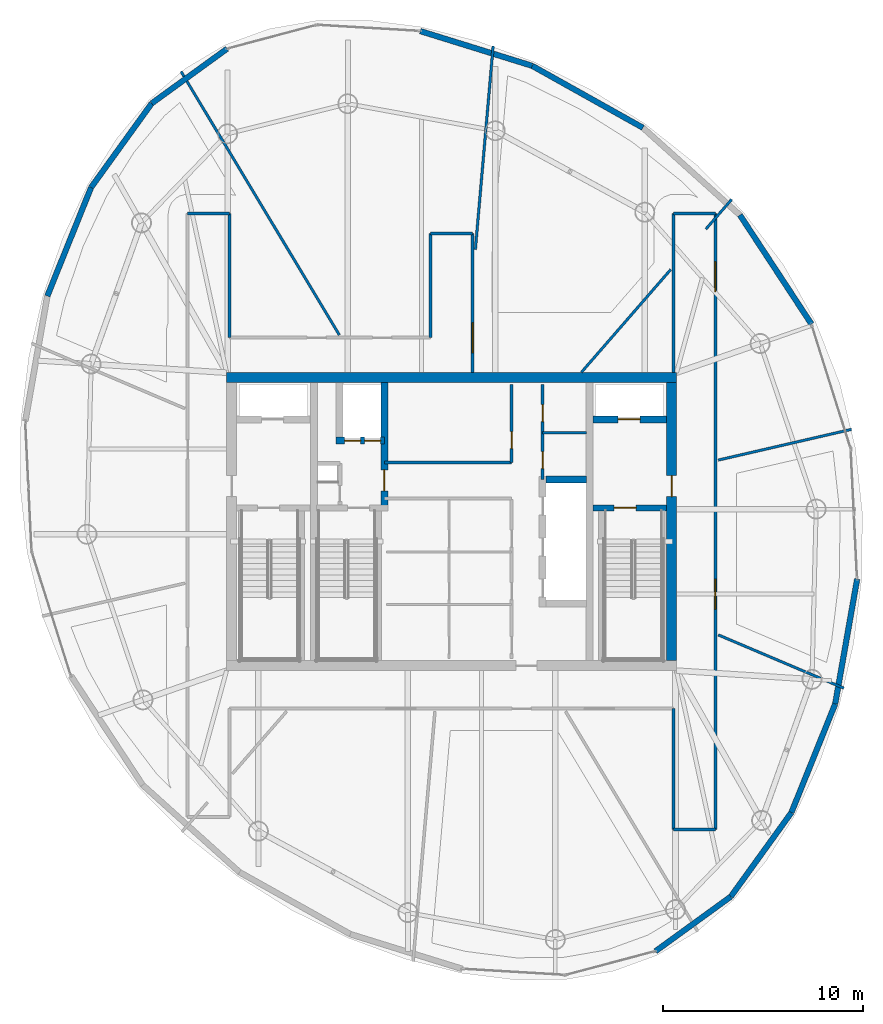
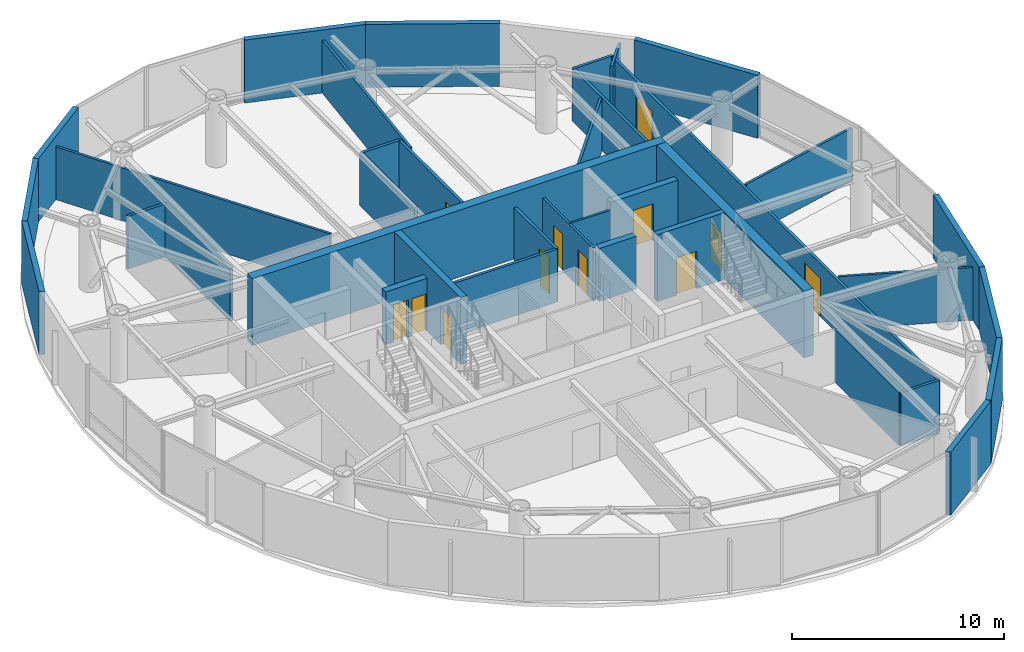
# One storey, part 15 of 19: 37 walls, 12 doors, 12 openings.
"""IFC4 building model written with IfcOpenShell, lengths in metres."""

from ifc_helpers import new_model, si_unit, direction, frame, frame_2d, origin, place, context, subcontext, project, spatial, rectangle, extrude, material, layer, layer_set, type_object, element, fill, save


model = new_model("IFC4")

# Units and contexts
model_context = context("Model", 3, precision=1e-05, world=origin(), true_north=direction((0.0, 1.0)))
body_context = subcontext(model_context, "Body", "Model", "MODEL_VIEW")
ifc_project = project(units=[si_unit("LENGTHUNIT", "METRE"), si_unit("AREAUNIT", "SQUARE_METRE"), si_unit("VOLUMEUNIT", "CUBIC_METRE"), si_unit("PLANEANGLEUNIT", "RADIAN"), si_unit("MASSUNIT", "GRAM", prefix="KILO")], contexts=[model_context])

# Site, building, storey
site_placement = place(None, origin())
site = spatial("IfcSite", under=ifc_project, at=site_placement, CompositionType="ELEMENT")
building_placement = place(site_placement, origin())
building = spatial("IfcBuilding", under=site, at=building_placement, Name="Bramvorn Convention Spire", CompositionType="ELEMENT")
storey_placement = place(building_placement, frame((0.0, 0.0, 292.10009765625)))
storey = spatial("IfcBuildingStorey", under=building, at=storey_placement, Name="L74", CompositionType="ELEMENT", Elevation=292.10009765625)

# Wall
ifc_material_1 = material(Name="Concrete C50/60", Category="concrete")
ifc_layer_1 = layer(ifc_material_1, 0.5)
ifc_layer_set_1 = layer_set([ifc_layer_1], Name="Concrete C50/60 - WL-CORE-500")
wall_type_1 = type_object("IfcWallType", Name="WL-CORE-500", PredefinedType="SHEAR", material=ifc_layer_set_1)
wall_1_placement = place(storey_placement, frame((26.75, 33.199951171875, 0.0), z_axis=(0.0, 0.0, 1.0), x_axis=(1.0, 0.0, 0.0)))
element("IfcWall", 1, at=wall_1_placement, inside=storey, type_object=wall_type_1, Name="L74 North RC core shear wall", PredefinedType="SHEAR", context=body_context, shape_type="SweptSolid", body=[
    extrude(rectangle(XDim=22.5, YDim=0.5, at=frame_2d((11.25, 0.0))), origin(), (0.0, 0.0, 1.0), 3.849853515625),
])

# Wall, opening, door
wall_2_placement = place(storey_placement, frame((49.0, 19.050048828125, 0.0), z_axis=(0.0, 0.0, 1.0), x_axis=(0.0, 1.0, 0.0)))
wall_2 = element("IfcWall", 2, at=wall_2_placement, inside=storey, type_object=wall_type_1, Name="L74 East RC core shear wall", PredefinedType="SHEAR", context=body_context, shape_type="SweptSolid", body=[
    extrude(rectangle(XDim=13.89990234375, YDim=0.5, at=frame_2d((6.949951171875, 0.0))), origin(), (0.0, 0.0, 1.0), 3.849853515625),
])
opening_1_placement = place(wall_2_placement, frame((8.199951171875, 0.0, 0.0)))
opening_1 = element("IfcOpeningElement", 3, at=opening_1_placement, cuts=wall_2, Name="Opening DL-105", PredefinedType="OPENING", context=body_context, shape_type="SweptSolid", body=[
    extrude(rectangle(XDim=1.050048828125, YDim=2.14990234375, at=frame_2d((0.52490234375, 1.074951171875))), frame((0.0, 0.260009765625, 0.0), z_axis=(0.0, -1.0, 0.0), x_axis=(1.0, 0.0, 0.0)), (0.0, 0.0, 1.0), 0.52001953125),
])
ifc_material_2 = material(Name="Smoke-Sealed Fire Lobby Timber-Core Door", Category="wood")
door_type_1 = type_object("IfcDoorType", Name="DR-LOBBY-1050", OperationType="NOTDEFINED", PredefinedType="DOOR", material=ifc_material_2)
door_1_placement = place(opening_1_placement, origin())
door_1 = element("IfcDoor", 4, at=door_1_placement, inside=storey, type_object=door_type_1, Name="L74 East Firefighting Lobby corridor door", OperationType="SINGLE_SWING_LEFT", OverallHeight=2.14990234375, OverallWidth=1.050048828125, PredefinedType="DOOR", context=body_context, shape_type="SweptSolid", body=[
    extrude(rectangle(XDim=1.050048828125, YDim=2.14990234375, at=frame_2d((0.52490234375, 1.074951171875))), frame((0.0, 0.02490234375, 0.0), z_axis=(0.0, -1.0, 0.0), x_axis=(1.0, 0.0, 0.0)), (0.0, 0.0, 1.0), 0.050048828125),
])
fill(opening_1, door_1)

ifc_layer_2 = layer(ifc_material_1, 0.35009765625)
ifc_layer_set_2 = layer_set([ifc_layer_2], Name="Concrete C50/60 - WL-CORE-INT-350")
wall_type_2 = type_object("IfcWallType", Name="WL-CORE-INT-350", PredefinedType="SHEAR", material=ifc_layer_set_2)
wall_3_placement = place(storey_placement, frame((45.080078125, 31.1201171875, 0.0), z_axis=(0.0, 0.0, 1.0), x_axis=(1.0, 0.0, 0.0)))
wall_3 = element("IfcWall", 5, at=wall_3_placement, inside=storey, type_object=wall_type_2, Name="L74 FE2 shaft front wall", PredefinedType="SHEAR", context=body_context, shape_type="SweptSolid", body=[
    extrude(rectangle(XDim=3.669921875, YDim=0.35009765625, at=frame_2d((1.8349609375, 0.0))), origin(), (0.0, 0.0, 1.0), 3.039794921875),
])
opening_2_placement = place(wall_3_placement, frame((1.25, 0.0, 0.0)))
opening_2 = element("IfcOpeningElement", 6, at=opening_2_placement, cuts=wall_3, Name="Opening LD-110", PredefinedType="OPENING", context=body_context, shape_type="SweptSolid", body=[
    extrude(rectangle(XDim=1.10009765625, YDim=2.14990234375, at=frame_2d((0.550048828125, 1.074951171875))), frame((0.0, 0.18505859375, 0.0), z_axis=(0.0, -1.0, 0.0), x_axis=(1.0, 0.0, 0.0)), (0.0, 0.0, 1.0), 0.3701171875),
])
ifc_material_3 = material(Name="Firefighting & Service Lift Sliding Landing Door", Category="steel")
door_type_2 = type_object("IfcDoorType", Name="DR-LIFT-LD-1100", OperationType="NOTDEFINED", PredefinedType="DOOR", material=ifc_material_3)
door_2_placement = place(opening_2_placement, origin())
door_2 = element("IfcDoor", 7, at=door_2_placement, inside=storey, type_object=door_type_2, Name="L74 Lift FE2 Sliding Landing Door", OperationType="SLIDING_TO_LEFT", OverallHeight=2.14990234375, OverallWidth=1.10009765625, PredefinedType="DOOR", context=body_context, shape_type="SweptSolid", body=[
    extrude(rectangle(XDim=1.10009765625, YDim=2.14990234375, at=frame_2d((0.550048828125, 1.074951171875))), frame((0.0, 0.02490234375, 0.0), z_axis=(0.0, -1.0, 0.0), x_axis=(1.0, 0.0, 0.0)), (0.0, 0.0, 1.0), 0.050048828125),
])
fill(opening_2, door_2)

wall_4_placement = place(storey_placement, frame((34.639892578125, 26.68994140625, 0.0), z_axis=(0.0, 0.0, 1.0), x_axis=(0.0, 1.0, 0.0)))
wall_4 = element("IfcWall", 8, at=wall_4_placement, inside=storey, type_object=wall_type_2, Name="L74 SV east core shaft wall", PredefinedType="SHEAR", context=body_context, shape_type="SweptSolid", body=[
    extrude(rectangle(XDim=6.260009765625, YDim=0.35009765625, at=frame_2d((3.1298828125, 0.0))), origin(), (0.0, 0.0, 1.0), 3.849853515625),
])
opening_3_placement = place(wall_4_placement, frame((0.85009765625, 0.0, 0.0)))
opening_3 = element("IfcOpeningElement", 9, at=opening_3_placement, cuts=wall_4, Name="Opening DL-105", PredefinedType="OPENING", context=body_context, shape_type="SweptSolid", body=[
    extrude(rectangle(XDim=1.050048828125, YDim=2.14990234375, at=frame_2d((0.52490234375, 1.074951171875))), frame((0.0, 0.18505859375, 0.0), z_axis=(0.0, -1.0, 0.0), x_axis=(1.0, 0.0, 0.0)), (0.0, 0.0, 1.0), 0.3701171875),
])
door_3_placement = place(opening_3_placement, origin())
door_3 = element("IfcDoor", 10, at=door_3_placement, inside=storey, type_object=door_type_1, Name="L74 Core cross-passage door", OperationType="SINGLE_SWING_RIGHT", OverallHeight=2.14990234375, OverallWidth=1.050048828125, PredefinedType="DOOR", context=body_context, shape_type="SweptSolid", body=[
    extrude(rectangle(XDim=1.050048828125, YDim=2.14990234375, at=frame_2d((0.52490234375, 1.074951171875))), frame((0.0, 0.02490234375, 0.0), z_axis=(0.0, -1.0, 0.0), x_axis=(1.0, 0.0, 0.0)), (0.0, 0.0, 1.0), 0.050048828125),
])
fill(opening_3, door_3)

# Wall, openings, doors
wall_5_placement = place(storey_placement, frame((32.22998046875, 30.050048828125, 0.0), z_axis=(0.0, 0.0, 1.0), x_axis=(1.0, 0.0, 0.0)))
wall_5 = element("IfcWall", 11, at=wall_5_placement, inside=storey, type_object=wall_type_2, Name="L74 SV1/SV2 shaft front wall", PredefinedType="SHEAR", context=body_context, shape_type="SweptSolid", body=[
    extrude(rectangle(XDim=2.409912109375, YDim=0.35009765625, at=frame_2d((1.205078125, 0.0))), origin(), (0.0, 0.0, 1.0), 3.039794921875),
])
opening_4_placement = place(wall_5_placement, frame((0.419921875, 0.0, 0.0)))
opening_4 = element("IfcOpeningElement", 12, at=opening_4_placement, cuts=wall_5, Name="Opening LD-080", PredefinedType="OPENING", context=body_context, shape_type="SweptSolid", body=[
    extrude(rectangle(XDim=0.800048828125, YDim=2.14990234375, at=frame_2d((0.39990234375, 1.074951171875))), frame((0.0, 0.18505859375, 0.0), z_axis=(0.0, -1.0, 0.0), x_axis=(1.0, 0.0, 0.0)), (0.0, 0.0, 1.0), 0.3701171875),
])
opening_5_placement = place(wall_5_placement, frame((1.419921875, 0.0, 0.0)))
opening_5 = element("IfcOpeningElement", 13, at=opening_5_placement, cuts=wall_5, Name="Opening LD-080", PredefinedType="OPENING", context=body_context, shape_type="SweptSolid", body=[
    extrude(rectangle(XDim=0.800048828125, YDim=2.14990234375, at=frame_2d((0.39990234375, 1.074951171875))), frame((0.0, 0.18505859375, 0.0), z_axis=(0.0, -1.0, 0.0), x_axis=(1.0, 0.0, 0.0)), (0.0, 0.0, 1.0), 0.3701171875),
])
ifc_material_4 = material(Name="Service Lift Bi-Parting Landing Door", Category="steel")
door_type_3 = type_object("IfcDoorType", Name="DR-LIFT-LD-800", OperationType="NOTDEFINED", PredefinedType="DOOR", material=ifc_material_4)
door_4_placement = place(opening_4_placement, origin())
door_4 = element("IfcDoor", 14, at=door_4_placement, inside=storey, type_object=door_type_3, Name="L74 Lift SV1 Sliding Landing Door", OperationType="SLIDING_TO_LEFT", OverallHeight=2.14990234375, OverallWidth=0.800048828125, PredefinedType="DOOR", context=body_context, shape_type="SweptSolid", body=[
    extrude(rectangle(XDim=0.800048828125, YDim=2.14990234375, at=frame_2d((0.39990234375, 1.074951171875))), frame((0.0, 0.02490234375, 0.0), z_axis=(0.0, -1.0, 0.0), x_axis=(1.0, 0.0, 0.0)), (0.0, 0.0, 1.0), 0.050048828125),
])
fill(opening_4, door_4)
door_5_placement = place(opening_5_placement, origin())
door_5 = element("IfcDoor", 15, at=door_5_placement, inside=storey, type_object=door_type_3, Name="L74 Lift SV2 Sliding Landing Door", OperationType="SLIDING_TO_LEFT", OverallHeight=2.14990234375, OverallWidth=0.800048828125, PredefinedType="DOOR", context=body_context, shape_type="SweptSolid", body=[
    extrude(rectangle(XDim=0.800048828125, YDim=2.14990234375, at=frame_2d((0.39990234375, 1.074951171875))), frame((0.0, 0.02490234375, 0.0), z_axis=(0.0, -1.0, 0.0), x_axis=(1.0, 0.0, 0.0)), (0.0, 0.0, 1.0), 0.050048828125),
])
fill(opening_5, door_5)

# Walls
wall_6_placement = place(storey_placement, frame((42.719970703125, 28.10009765625, 0.0), z_axis=(0.0, 0.0, 1.0), x_axis=(1.0, 0.0, 0.0)))
element("IfcWall", 16, at=wall_6_placement, inside=storey, type_object=wall_type_2, Name="L74 High-rise lift bank north wall", PredefinedType="SHEAR", context=body_context, shape_type="SweptSolid", body=[
    extrude(rectangle(XDim=2.030029296875, YDim=0.35009765625, at=frame_2d((1.01513671875, 0.0))), origin(), (0.0, 0.0, 1.0), 3.039794921875),
])
ifc_material_5 = material(Name="Precast Concrete C40/50 with Bronze Terracotta Rainscreen", Category="masonry")
ifc_layer_3 = layer(ifc_material_5, 0.300048828125)
ifc_layer_set_3 = layer_set([ifc_layer_3], Name="Precast Concrete C40/50 with Bronze Terracotta Rainscreen - WL-EXT-BRONZE-300")
wall_type_3 = type_object("IfcWallType", Name="WL-EXT-BRONZE-300", PredefinedType="SOLIDWALL", material=ifc_layer_set_3)
wall_7_placement = place(storey_placement, frame((51.965087890625, 7.248779296875, 0.0), z_axis=(0.0, 0.0, 1.0), x_axis=(-0.809566158973, -0.587028648573, 0.0)))
element("IfcWall", 17, at=wall_7_placement, inside=storey, type_object=wall_type_3, Name="L74 expressed bronze Gothic lancet pier wall 01", PredefinedType="SOLIDWALL", context=body_context, shape_type="SweptSolid", body=[
    extrude(rectangle(XDim=4.650390625, YDim=0.280029296875, at=frame_2d((2.3251953125, 0.0))), origin(), (0.0, 0.0, 1.0), 3.625),
])
wall_8_placement = place(storey_placement, frame((54.994384765625, 11.44970703125, 0.0), z_axis=(0.0, 0.0, 1.0), x_axis=(-0.584893181171, -0.811110329498, 0.0)))
element("IfcWall", 18, at=wall_8_placement, inside=storey, type_object=wall_type_3, Name="L74 expressed bronze Gothic lancet pier wall 02", PredefinedType="SOLIDWALL", context=body_context, shape_type="SweptSolid", body=[
    extrude(rectangle(XDim=5.17919921875, YDim=0.280029296875, at=frame_2d((2.589599609375, 0.0))), origin(), (0.0, 0.0, 1.0), 3.625),
])
wall_9_placement = place(storey_placement, frame((57.185302734375, 16.884521484375, 0.0), z_axis=(0.0, 0.0, 1.0), x_axis=(-0.373889146258, -0.927473399247, 0.0)))
element("IfcWall", 19, at=wall_9_placement, inside=storey, type_object=wall_type_3, Name="L74 expressed bronze Gothic lancet pier wall 03", PredefinedType="SOLIDWALL", context=body_context, shape_type="SweptSolid", body=[
    extrude(rectangle(XDim=5.85986328125, YDim=0.280029296875, at=frame_2d((2.929931640625, 0.0))), origin(), (0.0, 0.0, 1.0), 3.625),
])
wall_10_placement = place(storey_placement, frame((58.284912109375, 23.1337890625, 0.0), z_axis=(0.0, 0.0, 1.0), x_axis=(-0.17329584109, -0.984869814473, 0.0)))
element("IfcWall", 20, at=wall_10_placement, inside=storey, type_object=wall_type_3, Name="L74 expressed bronze Gothic lancet pier wall 04", PredefinedType="SOLIDWALL", context=body_context, shape_type="SweptSolid", body=[
    extrude(rectangle(XDim=6.34521484375, YDim=0.280029296875, at=frame_2d((3.172607421875, 0.0))), origin(), (0.0, 0.0, 1.0), 3.625),
])
wall_11_placement = place(storey_placement, frame((52.420654296875, 41.3330078125, 0.0), z_axis=(0.0, 0.0, 1.0), x_axis=(0.548729972559, -0.835999651445, 0.0)))
element("IfcWall", 21, at=wall_11_placement, inside=storey, type_object=wall_type_3, Name="L74 expressed bronze Gothic lancet pier wall 07", PredefinedType="SOLIDWALL", context=body_context, shape_type="SweptSolid", body=[
    extrude(rectangle(XDim=6.52685546875, YDim=0.280029296875, at=frame_2d((3.263427734375, 0.0))), origin(), (0.0, 0.0, 1.0), 3.625),
])
wall_12_placement = place(storey_placement, frame((42.0322265625, 48.796875, 0.0), z_axis=(0.0, 0.0, 1.0), x_axis=(0.872743421577, -0.48817918851, 0.0)))
element("IfcWall", 22, at=wall_12_placement, inside=storey, type_object=wall_type_3, Name="L74 expressed bronze Gothic lancet pier wall 09", PredefinedType="SOLIDWALL", context=body_context, shape_type="SweptSolid", body=[
    extrude(rectangle(XDim=6.34521484375, YDim=0.280029296875, at=frame_2d((3.172607421875, 0.0))), origin(), (0.0, 0.0, 1.0), 3.625),
])
wall_13_placement = place(storey_placement, frame((36.435791015625, 50.533935546875, 0.0), z_axis=(0.0, 0.0, 1.0), x_axis=(0.955052748682, -0.296435907467, 0.0)))
element("IfcWall", 23, at=wall_13_placement, inside=storey, type_object=wall_type_3, Name="L74 expressed bronze Gothic lancet pier wall 10", PredefinedType="SOLIDWALL", context=body_context, shape_type="SweptSolid", body=[
    extrude(rectangle(XDim=5.85986328125, YDim=0.280029296875, at=frame_2d((2.929931640625, 0.0))), origin(), (0.0, 0.0, 1.0), 3.625),
])
wall_14_placement = place(storey_placement, frame((23.005615234375, 46.919189453125, 0.0), z_axis=(0.0, 0.0, 1.0), x_axis=(0.809541210108, 0.587063053799, 0.0)))
element("IfcWall", 24, at=wall_14_placement, inside=storey, type_object=wall_type_3, Name="L74 expressed bronze Gothic lancet pier wall 13", PredefinedType="SOLIDWALL", context=body_context, shape_type="SweptSolid", body=[
    extrude(rectangle(XDim=4.650634765625, YDim=0.280029296875, at=frame_2d((2.3251953125, 0.0))), origin(), (0.0, 0.0, 1.0), 3.625),
])
wall_15_placement = place(storey_placement, frame((19.976318359375, 42.718505859375, 0.0), z_axis=(0.0, 0.0, 1.0), x_axis=(0.584915544866, 0.811094202528, 0.0)))
element("IfcWall", 25, at=wall_15_placement, inside=storey, type_object=wall_type_3, Name="L74 expressed bronze Gothic lancet pier wall 14", PredefinedType="SOLIDWALL", context=body_context, shape_type="SweptSolid", body=[
    extrude(rectangle(XDim=5.178955078125, YDim=0.280029296875, at=frame_2d((2.58935546875, 0.0))), origin(), (0.0, 0.0, 1.0), 3.625),
])
wall_16_placement = place(storey_placement, frame((17.78515625, 37.283447265625, 0.0), z_axis=(0.0, 0.0, 1.0), x_axis=(0.373910536535, 0.927464775972, 0.0)))
element("IfcWall", 26, at=wall_16_placement, inside=storey, type_object=wall_type_3, Name="L74 expressed bronze Gothic lancet pier wall 15", PredefinedType="SOLIDWALL", context=body_context, shape_type="SweptSolid", body=[
    extrude(rectangle(XDim=5.860107421875, YDim=0.280029296875, at=frame_2d((2.93017578125, 0.0))), origin(), (0.0, 0.0, 1.0), 3.625),
])
ifc_material_6 = material(Name="Lightweight En-Suite & Wet-Wall Partition", Category="gypsum")
ifc_layer_4 = layer(ifc_material_6, 0.110107421875)
ifc_layer_set_4 = layer_set([ifc_layer_4], Name="Lightweight En-Suite & Wet-Wall Partition - WL-PART-110")
wall_type_4 = type_object("IfcWallType", Name="WL-PART-110", PredefinedType="PARTITIONING", material=ifc_layer_set_4)
wall_17_placement = place(storey_placement, frame((42.550048828125, 30.449951171875, 0.0), z_axis=(0.0, 0.0, 1.0), x_axis=(1.0, 0.0, 0.0)))
element("IfcWall", 27, at=wall_17_placement, inside=storey, type_object=wall_type_4, Name="L74 KB NE divider", PredefinedType="PARTITIONING", context=body_context, shape_type="SweptSolid", body=[
    extrude(rectangle(XDim=2.199951171875, YDim=0.110107421875, at=frame_2d((1.10009765625, 0.0))), origin(), (0.0, 0.0, 1.0), 3.039794921875),
])

# Wall, openings, doors
ifc_material_7 = material(Name="Metal-Stud Demountable Office Partition", Category="gypsum")
ifc_layer_5 = layer(ifc_material_7, 0.1298828125)
ifc_layer_set_5 = layer_set([ifc_layer_5], Name="Metal-Stud Demountable Office Partition - WL-PART-130")
wall_type_5 = type_object("IfcWallType", Name="WL-PART-130", PredefinedType="PARTITIONING", material=ifc_layer_set_5)
wall_18_placement = place(storey_placement, frame((42.550048828125, 28.10009765625, 0.0), z_axis=(0.0, 0.0, 1.0), x_axis=(0.0, 1.0, 0.0)))
wall_18 = element("IfcWall", 28, at=wall_18_placement, inside=storey, type_object=wall_type_5, Name="L74 KB NE split wall", PredefinedType="PARTITIONING", context=body_context, shape_type="SweptSolid", body=[
    extrude(rectangle(XDim=4.75, YDim=0.1298828125, at=frame_2d((2.375, 0.0))), origin(), (0.0, 0.0, 1.0), 3.039794921875),
])
opening_6_placement = place(wall_18_placement, frame((0.550048828125, 0.0, 0.0)))
opening_6 = element("IfcOpeningElement", 29, at=opening_6_placement, cuts=wall_18, Name="Opening DC-085", PredefinedType="OPENING", context=body_context, shape_type="SweptSolid", body=[
    extrude(rectangle(XDim=0.85009765625, YDim=2.10009765625, at=frame_2d((0.425048828125, 1.050048828125))), frame((0.0, 0.074951171875, 0.0), z_axis=(0.0, -1.0, 0.0), x_axis=(1.0, 0.0, 0.0)), (0.0, 0.0, 1.0), 0.14990234375),
])
opening_7_placement = place(wall_18_placement, frame((2.89990234375, 0.0, 0.0)))
opening_7 = element("IfcOpeningElement", 30, at=opening_7_placement, cuts=wall_18, Name="Opening DC-085", PredefinedType="OPENING", context=body_context, shape_type="SweptSolid", body=[
    extrude(rectangle(XDim=0.85009765625, YDim=2.10009765625, at=frame_2d((0.425048828125, 1.050048828125))), frame((0.0, 0.074951171875, 0.0), z_axis=(0.0, -1.0, 0.0), x_axis=(1.0, 0.0, 0.0)), (0.0, 0.0, 1.0), 0.14990234375),
])
ifc_material_8 = material(Name="Fire-Rated Core Washroom & IDF Door", Category="wood")
door_type_4 = type_object("IfcDoorType", Name="DR-CORE-850", OperationType="NOTDEFINED", PredefinedType="DOOR", material=ifc_material_8)
door_6_placement = place(opening_6_placement, origin())
door_6 = element("IfcDoor", 31, at=door_6_placement, inside=storey, type_object=door_type_4, Name="L74 Core Staff WC door", OperationType="SINGLE_SWING_LEFT", OverallHeight=2.10009765625, OverallWidth=0.85009765625, PredefinedType="DOOR", context=body_context, shape_type="SweptSolid", body=[
    extrude(rectangle(XDim=0.85009765625, YDim=2.10009765625, at=frame_2d((0.425048828125, 1.050048828125))), frame((0.0, 0.02490234375, 0.0), z_axis=(0.0, -1.0, 0.0), x_axis=(1.0, 0.0, 0.0)), (0.0, 0.0, 1.0), 0.050048828125),
])
fill(opening_6, door_6)
door_7_placement = place(opening_7_placement, origin())
door_7 = element("IfcDoor", 32, at=door_7_placement, inside=storey, type_object=door_type_4, Name="L74 Core Data Closet door", OperationType="SINGLE_SWING_LEFT", OverallHeight=2.10009765625, OverallWidth=0.85009765625, PredefinedType="DOOR", context=body_context, shape_type="SweptSolid", body=[
    extrude(rectangle(XDim=0.85009765625, YDim=2.10009765625, at=frame_2d((0.425048828125, 1.050048828125))), frame((0.0, 0.02490234375, 0.0), z_axis=(0.0, -1.0, 0.0), x_axis=(1.0, 0.0, 0.0)), (0.0, 0.0, 1.0), 0.050048828125),
])
fill(opening_7, door_7)

# Walls
wall_19_placement = place(storey_placement, frame((51.340087890625, 29.079833984375, 0.0), z_axis=(0.0, 0.0, 1.0), x_axis=(0.974374354779, 0.22493247153, 0.0)))
element("IfcWall", 33, at=wall_19_placement, inside=storey, type_object=wall_type_5, Name="L74 Tenant suite partition 1", PredefinedType="PARTITIONING", context=body_context, shape_type="SweptSolid", body=[
    extrude(rectangle(XDim=6.84228515625, YDim=0.1298828125, at=frame_2d((3.421142578125, 0.0))), origin(), (0.0, 0.0, 1.0), 3.039794921875),
])
wall_20_placement = place(storey_placement, frame((44.49365234375, 33.469970703125, 0.0), z_axis=(0.0, 0.0, 1.0), x_axis=(0.656056181598, 0.754712055414, 0.0)))
element("IfcWall", 34, at=wall_20_placement, inside=storey, type_object=wall_type_5, Name="L74 Tenant suite partition 2", PredefinedType="PARTITIONING", context=body_context, shape_type="SweptSolid", body=[
    extrude(rectangle(XDim=6.807861328125, YDim=0.1298828125, at=frame_2d((3.40380859375, 0.0))), origin(), (0.0, 0.0, 1.0), 3.039794921875),
])
wall_21_placement = place(storey_placement, frame((50.72021484375, 40.633056640625, 0.0), z_axis=(0.0, 0.0, 1.0), x_axis=(0.656126618978, 0.754650819829, 0.0)))
element("IfcWall", 35, at=wall_21_placement, inside=storey, type_object=wall_type_5, Name="L74 Tenant suite partition 2", PredefinedType="PARTITIONING", context=body_context, shape_type="SweptSolid", body=[
    extrude(rectangle(XDim=1.972412109375, YDim=0.1298828125, at=frame_2d((0.986328125, 0.0))), origin(), (0.0, 0.0, 1.0), 3.039794921875),
])
wall_22_placement = place(storey_placement, frame((39.18994140625, 39.601806640625, 0.0), z_axis=(0.0, 0.0, 1.0), x_axis=(0.087171989562, 0.996193276546, 0.0)))
element("IfcWall", 36, at=wall_22_placement, inside=storey, type_object=wall_type_5, Name="L74 Tenant suite partition 3", PredefinedType="PARTITIONING", context=body_context, shape_type="SweptSolid", body=[
    extrude(rectangle(XDim=10.216796875, YDim=0.1298828125, at=frame_2d((5.1083984375, 0.0))), origin(), (0.0, 0.0, 1.0), 3.039794921875),
])
wall_23_placement = place(storey_placement, frame((32.387939453125, 35.340087890625, 0.0), z_axis=(0.0, 0.0, 1.0), x_axis=(-0.515046773067, 0.857162074262, 0.0)))
element("IfcWall", 37, at=wall_23_placement, inside=storey, type_object=wall_type_5, Name="L74 Tenant suite partition 4", PredefinedType="PARTITIONING", context=body_context, shape_type="SweptSolid", body=[
    extrude(rectangle(XDim=15.374267578125, YDim=0.1298828125, at=frame_2d((7.68701171875, 0.0))), origin(), (0.0, 0.0, 1.0), 3.039794921875),
])
wall_24_placement = place(storey_placement, frame((51.340087890625, 20.33740234375, 0.0), z_axis=(0.0, 0.0, 1.0), x_axis=(0.92050850524, -0.390722525305, 0.0)))
element("IfcWall", 38, at=wall_24_placement, inside=storey, type_object=wall_type_5, Name="L74 Tenant suite partition 10", PredefinedType="PARTITIONING", context=body_context, shape_type="SweptSolid", body=[
    extrude(rectangle(XDim=6.82568359375, YDim=0.1298828125, at=frame_2d((3.412841796875, 0.0))), origin(), (0.0, 0.0, 1.0), 3.039794921875),
])
ifc_material_9 = material(Name="Acoustic Metal-Stud Tenant/Corridor Partition", Category="gypsum")
ifc_layer_6 = layer(ifc_material_9, 0.14990234375)
ifc_layer_set_6 = layer_set([ifc_layer_6], Name="Acoustic Metal-Stud Tenant/Corridor Partition - WL-PART-150")
wall_type_6 = type_object("IfcWallType", Name="WL-PART-150", PredefinedType="PARTITIONING", material=ifc_layer_set_6)
wall_25_placement = place(storey_placement, frame((34.639892578125, 28.949951171875, 0.0), z_axis=(0.0, 0.0, 1.0), x_axis=(1.0, 0.0, 0.0)))
element("IfcWall", 39, at=wall_25_placement, inside=storey, type_object=wall_type_6, Name="L74 Cross-core passage north wall", PredefinedType="PARTITIONING", context=body_context, shape_type="SweptSolid", body=[
    extrude(rectangle(XDim=6.360107421875, YDim=0.14990234375, at=frame_2d((3.18017578125, 0.0))), origin(), (0.0, 0.0, 1.0), 3.039794921875),
])

# Wall, opening, door
wall_26_placement = place(storey_placement, frame((41.0, 28.949951171875, 0.0), z_axis=(0.0, 0.0, 1.0), x_axis=(0.0, 1.0, 0.0)))
wall_26 = element("IfcWall", 40, at=wall_26_placement, inside=storey, type_object=wall_type_6, Name="L74 Freed north shaft room wall", PredefinedType="PARTITIONING", context=body_context, shape_type="SweptSolid", body=[
    extrude(rectangle(XDim=3.900146484375, YDim=0.14990234375, at=frame_2d((1.9501953125, 0.0))), origin(), (0.0, 0.0, 1.0), 3.039794921875),
])
opening_8_placement = place(wall_26_placement, frame((0.699951171875, 0.0, 0.0)))
opening_8 = element("IfcOpeningElement", 41, at=opening_8_placement, cuts=wall_26, Name="Opening DC-085", PredefinedType="OPENING", context=body_context, shape_type="SweptSolid", body=[
    extrude(rectangle(XDim=0.85009765625, YDim=2.10009765625, at=frame_2d((0.425048828125, 1.050048828125))), frame((0.0, 0.0849609375, 0.0), z_axis=(0.0, -1.0, 0.0), x_axis=(1.0, 0.0, 0.0)), (0.0, 0.0, 1.0), 0.169921875),
])
door_8_placement = place(opening_8_placement, origin())
door_8 = element("IfcDoor", 42, at=door_8_placement, inside=storey, type_object=door_type_4, Name="L74 North core archive door", OperationType="SINGLE_SWING_LEFT", OverallHeight=2.10009765625, OverallWidth=0.85009765625, PredefinedType="DOOR", context=body_context, shape_type="SweptSolid", body=[
    extrude(rectangle(XDim=0.85009765625, YDim=2.10009765625, at=frame_2d((0.425048828125, 1.050048828125))), frame((0.0, 0.02490234375, 0.0), z_axis=(0.0, -1.0, 0.0), x_axis=(1.0, 0.0, 0.0)), (0.0, 0.0, 1.0), 0.050048828125),
])
fill(opening_8, door_8)

# Walls
wall_27_placement = place(storey_placement, frame((26.89990234375, 35.199951171875, 0.0), z_axis=(0.0, 0.0, 1.0), x_axis=(0.0, 1.0, 0.0)))
element("IfcWall", 43, at=wall_27_placement, inside=storey, type_object=wall_type_6, Name="L74 West gallery NE wall", PredefinedType="PARTITIONING", context=body_context, shape_type="SweptSolid", body=[
    extrude(rectangle(XDim=6.199951171875, YDim=0.14990234375, at=frame_2d((3.10009765625, 0.0))), origin(), (0.0, 0.0, 1.0), 3.039794921875),
])
wall_28_placement = place(storey_placement, frame((24.800048828125, 41.39990234375, 0.0), z_axis=(0.0, 0.0, 1.0), x_axis=(1.0, 0.0, 0.0)))
element("IfcWall", 44, at=wall_28_placement, inside=storey, type_object=wall_type_6, Name="L74 West gallery north end", PredefinedType="PARTITIONING", context=body_context, shape_type="SweptSolid", body=[
    extrude(rectangle(XDim=2.099853515625, YDim=0.14990234375, at=frame_2d((1.0498046875, 0.0))), origin(), (0.0, 0.0, 1.0), 3.039794921875),
])

# Wall, openings, doors
wall_29_placement = place(storey_placement, frame((51.199951171875, 10.60009765625, 0.0), z_axis=(0.0, 0.0, 1.0), x_axis=(0.0, 1.0, 0.0)))
wall_29 = element("IfcWall", 45, at=wall_29_placement, inside=storey, type_object=wall_type_6, Name="L74 East N-S gallery outer wall", PredefinedType="PARTITIONING", context=body_context, shape_type="SweptSolid", body=[
    extrude(rectangle(XDim=30.7998046875, YDim=0.14990234375, at=frame_2d((15.39990234375, 0.0))), origin(), (0.0, 0.0, 1.0), 3.039794921875),
])
opening_9_placement = place(wall_29_placement, frame((26.894775390625, 0.0, 0.0)))
opening_9 = element("IfcOpeningElement", 46, at=opening_9_placement, cuts=wall_29, Name="Opening DC-150", PredefinedType="OPENING", context=body_context, shape_type="SweptSolid", body=[
    extrude(rectangle(XDim=1.5, YDim=2.199951171875, at=frame_2d((0.75, 1.10009765625))), frame((0.0, 0.0849609375, 0.0), z_axis=(0.0, -1.0, 0.0), x_axis=(1.0, 0.0, 0.0)), (0.0, 0.0, 1.0), 0.169921875),
])
opening_10_placement = place(wall_29_placement, frame((11.02978515625, 0.0, 0.0)))
opening_10 = element("IfcOpeningElement", 47, at=opening_10_placement, cuts=wall_29, Name="Opening DC-150", PredefinedType="OPENING", context=body_context, shape_type="SweptSolid", body=[
    extrude(rectangle(XDim=1.5, YDim=2.199951171875, at=frame_2d((0.75, 1.10009765625))), frame((0.0, 0.0849609375, 0.0), z_axis=(0.0, -1.0, 0.0), x_axis=(1.0, 0.0, 0.0)), (0.0, 0.0, 1.0), 0.169921875),
])
ifc_material_10 = material(Name="Double-Leaf Smoke-Control Corridor Door", Category="wood")
door_type_5 = type_object("IfcDoorType", Name="DR-COR-1500", OperationType="NOTDEFINED", PredefinedType="DOOR", material=ifc_material_10)
door_9_placement = place(opening_9_placement, origin())
door_9 = element("IfcDoor", 48, at=door_9_placement, inside=storey, type_object=door_type_5, Name="L74 Design Office Studio A 1 door", OperationType="DOUBLE_DOOR_SINGLE_SWING", OverallHeight=2.199951171875, OverallWidth=1.5, PredefinedType="DOOR", context=body_context, shape_type="SweptSolid", body=[
    extrude(rectangle(XDim=1.5, YDim=2.199951171875, at=frame_2d((0.75, 1.10009765625))), frame((0.0, 0.02490234375, 0.0), z_axis=(0.0, -1.0, 0.0), x_axis=(1.0, 0.0, 0.0)), (0.0, 0.0, 1.0), 0.050048828125),
])
fill(opening_9, door_9)
door_10_placement = place(opening_10_placement, origin())
door_10 = element("IfcDoor", 49, at=door_10_placement, inside=storey, type_object=door_type_5, Name="L74 Design Office Studio B 10 door", OperationType="DOUBLE_DOOR_SINGLE_SWING", OverallHeight=2.199951171875, OverallWidth=1.5, PredefinedType="DOOR", context=body_context, shape_type="SweptSolid", body=[
    extrude(rectangle(XDim=1.5, YDim=2.199951171875, at=frame_2d((0.75, 1.10009765625))), frame((0.0, 0.02490234375, 0.0), z_axis=(0.0, -1.0, 0.0), x_axis=(1.0, 0.0, 0.0)), (0.0, 0.0, 1.0), 0.050048828125),
])
fill(opening_10, door_10)

# Walls
wall_30_placement = place(storey_placement, frame((49.10009765625, 10.60009765625, 0.0), z_axis=(0.0, 0.0, 1.0), x_axis=(0.0, 1.0, 0.0)))
element("IfcWall", 50, at=wall_30_placement, inside=storey, type_object=wall_type_6, Name="L74 East gallery SW wall", PredefinedType="PARTITIONING", context=body_context, shape_type="SweptSolid", body=[
    extrude(rectangle(XDim=6.0498046875, YDim=0.14990234375, at=frame_2d((3.02490234375, 0.0))), origin(), (0.0, 0.0, 1.0), 3.039794921875),
])
wall_31_placement = place(storey_placement, frame((49.10009765625, 33.449951171875, 0.0), z_axis=(0.0, 0.0, 1.0), x_axis=(0.0, 1.0, 0.0)))
element("IfcWall", 51, at=wall_31_placement, inside=storey, type_object=wall_type_6, Name="L74 East gallery NW wall", PredefinedType="PARTITIONING", context=body_context, shape_type="SweptSolid", body=[
    extrude(rectangle(XDim=7.949951171875, YDim=0.14990234375, at=frame_2d((3.97509765625, 0.0))), origin(), (0.0, 0.0, 1.0), 3.039794921875),
])
for number, where, z_axis, x_axis, name in (
    (52, (49.10009765625, 10.60009765625, 0.0), (0.0, 0.0, 1.0), (1.0, 0.0, 0.0), "L74 East gallery south end"),
    (53, (49.10009765625, 41.39990234375, 0.0), (0.0, 0.0, 1.0), (1.0, 0.0, 0.0), "L74 East gallery north end"),
):
    element("IfcWall", number, at=place(storey_placement, frame(where, z_axis=z_axis, x_axis=x_axis)), inside=storey, type_object=wall_type_6, Name=name, PredefinedType="PARTITIONING", context=body_context, shape_type="SweptSolid", body=[
        extrude(rectangle(XDim=2.099853515625, YDim=0.14990234375, at=frame_2d((1.0498046875, 0.0))), origin(), (0.0, 0.0, 1.0), 3.039794921875),
    ])
wall_32_placement = place(storey_placement, frame((36.949951171875, 35.199951171875, 0.0), z_axis=(0.0, 0.0, 1.0), x_axis=(0.0, 1.0, 0.0)))
element("IfcWall", 54, at=wall_32_placement, inside=storey, type_object=wall_type_6, Name="L74 North spur west wall", PredefinedType="PARTITIONING", context=body_context, shape_type="SweptSolid", body=[
    extrude(rectangle(XDim=5.199951171875, YDim=0.14990234375, at=frame_2d((2.60009765625, 0.0))), origin(), (0.0, 0.0, 1.0), 3.039794921875),
])

# Wall, opening, door
wall_33_placement = place(storey_placement, frame((39.050048828125, 33.449951171875, 0.0), z_axis=(0.0, 0.0, 1.0), x_axis=(0.0, 1.0, 0.0)))
wall_33 = element("IfcWall", 55, at=wall_33_placement, inside=storey, type_object=wall_type_6, Name="L74 North spur east wall", PredefinedType="PARTITIONING", context=body_context, shape_type="SweptSolid", body=[
    extrude(rectangle(XDim=6.949951171875, YDim=0.14990234375, at=frame_2d((3.47509765625, 0.0))), origin(), (0.0, 0.0, 1.0), 3.039794921875),
])
opening_11_placement = place(wall_33_placement, frame((0.987548828125, 0.0, 0.0)))
opening_11 = element("IfcOpeningElement", 56, at=opening_11_placement, cuts=wall_33, Name="Opening DC-150", PredefinedType="OPENING", context=body_context, shape_type="SweptSolid", body=[
    extrude(rectangle(XDim=1.5, YDim=2.199951171875, at=frame_2d((0.75, 1.10009765625))), frame((0.0, 0.0849609375, 0.0), z_axis=(0.0, -1.0, 0.0), x_axis=(1.0, 0.0, 0.0)), (0.0, 0.0, 1.0), 0.169921875),
])
door_11_placement = place(opening_11_placement, origin())
door_11 = element("IfcDoor", 57, at=door_11_placement, inside=storey, type_object=door_type_5, Name="L74 Design Office Studio B 2 door", OperationType="DOUBLE_DOOR_SINGLE_SWING", OverallHeight=2.199951171875, OverallWidth=1.5, PredefinedType="DOOR", context=body_context, shape_type="SweptSolid", body=[
    extrude(rectangle(XDim=1.5, YDim=2.199951171875, at=frame_2d((0.75, 1.10009765625))), frame((0.0, 0.02490234375, 0.0), z_axis=(0.0, -1.0, 0.0), x_axis=(1.0, 0.0, 0.0)), (0.0, 0.0, 1.0), 0.050048828125),
])
fill(opening_11, door_11)

# Wall
wall_34_placement = place(storey_placement, frame((36.949951171875, 40.39990234375, 0.0), z_axis=(0.0, 0.0, 1.0), x_axis=(1.0, 0.0, 0.0)))
element("IfcWall", 58, at=wall_34_placement, inside=storey, type_object=wall_type_6, Name="L74 North spur end wall", PredefinedType="PARTITIONING", context=body_context, shape_type="SweptSolid", body=[
    extrude(rectangle(XDim=2.10009765625, YDim=0.14990234375, at=frame_2d((1.050048828125, 0.0))), origin(), (0.0, 0.0, 1.0), 3.039794921875),
])

# Wall, opening, door
ifc_layer_7 = layer(ifc_material_1, 0.300048828125)
ifc_layer_set_7 = layer_set([ifc_layer_7], Name="Concrete C50/60 - WL-POD-STAIR-300")
wall_type_7 = type_object("IfcWallType", Name="WL-POD-STAIR-300", PredefinedType="SHEAR", material=ifc_layer_set_7)
wall_35_placement = place(storey_placement, frame((45.080078125, 26.68994140625, 0.0), z_axis=(0.0, 0.0, 1.0), x_axis=(1.0, 0.0, 0.0)))
wall_35 = element("IfcWall", 59, at=wall_35_placement, inside=storey, type_object=wall_type_7, Name="L74 ST2 north fire wall", PredefinedType="SHEAR", context=body_context, shape_type="SweptSolid", body=[
    extrude(rectangle(XDim=3.669921875, YDim=0.300048828125, at=frame_2d((1.8349609375, 0.0))), origin(), (0.0, 0.0, 1.0), 3.849853515625),
])
opening_12_placement = place(wall_35_placement, frame((1.050048828125, 0.0, 0.0)))
opening_12 = element("IfcOpeningElement", 60, at=opening_12_placement, cuts=wall_35, Name="Opening DS-110", PredefinedType="OPENING", context=body_context, shape_type="SweptSolid", body=[
    extrude(rectangle(XDim=1.10009765625, YDim=2.14990234375, at=frame_2d((0.550048828125, 1.074951171875))), frame((0.0, 0.159912109375, 0.0), z_axis=(0.0, -1.0, 0.0), x_axis=(1.0, 0.0, 0.0)), (0.0, 0.0, 1.0), 0.320068359375),
])
ifc_material_11 = material(Name="Fire-Rated Hollow Steel Stairwell Door", Category="steel")
door_type_6 = type_object("IfcDoorType", Name="DR-STAIR-1100", OperationType="NOTDEFINED", PredefinedType="DOOR", material=ifc_material_11)
door_12_placement = place(opening_12_placement, origin())
door_12 = element("IfcDoor", 61, at=door_12_placement, inside=storey, type_object=door_type_6, Name="L74 Stair ST2 fire door", OperationType="SINGLE_SWING_RIGHT", OverallHeight=2.14990234375, OverallWidth=1.10009765625, PredefinedType="DOOR", context=body_context, shape_type="SweptSolid", body=[
    extrude(rectangle(XDim=1.10009765625, YDim=2.14990234375, at=frame_2d((0.550048828125, 1.074951171875))), frame((0.0, 0.02490234375, 0.0), z_axis=(0.0, -1.0, 0.0), x_axis=(1.0, 0.0, 0.0)), (0.0, 0.0, 1.0), 0.050048828125),
])
fill(opening_12, door_12)

save(model, "model.ifc")
